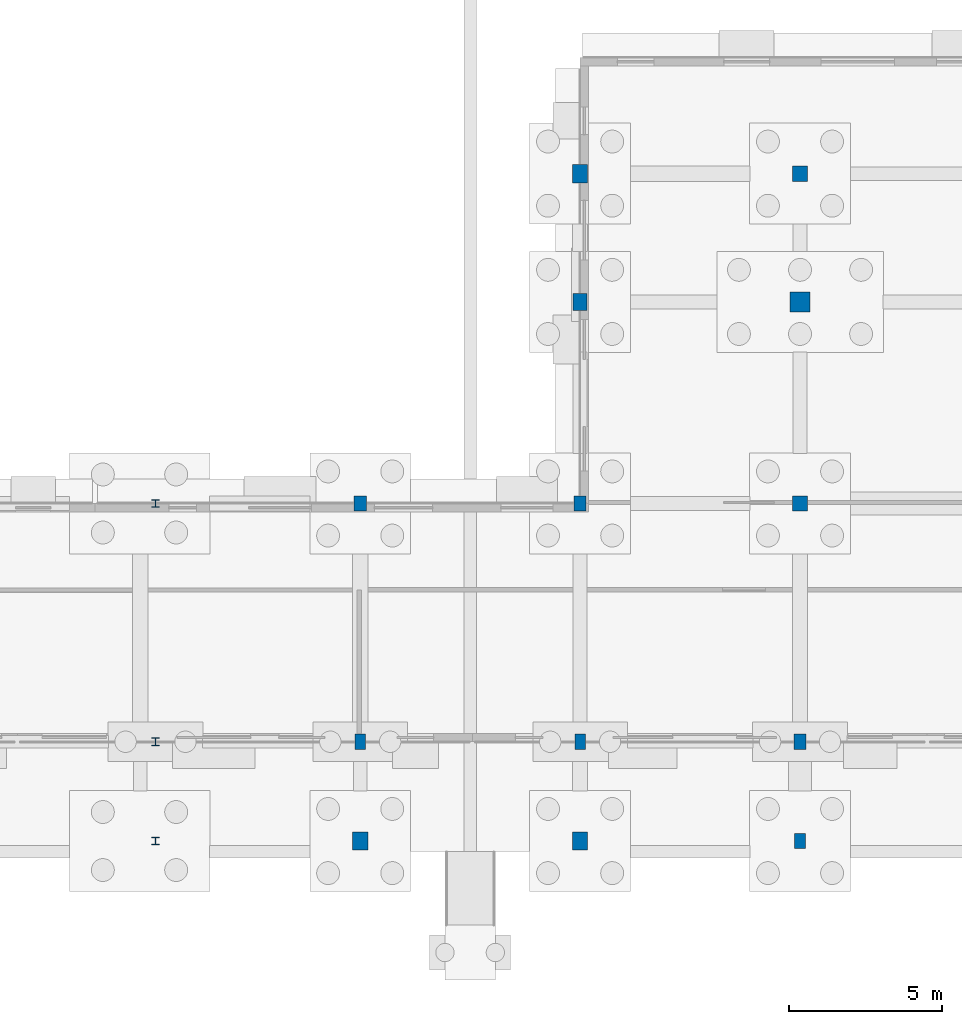
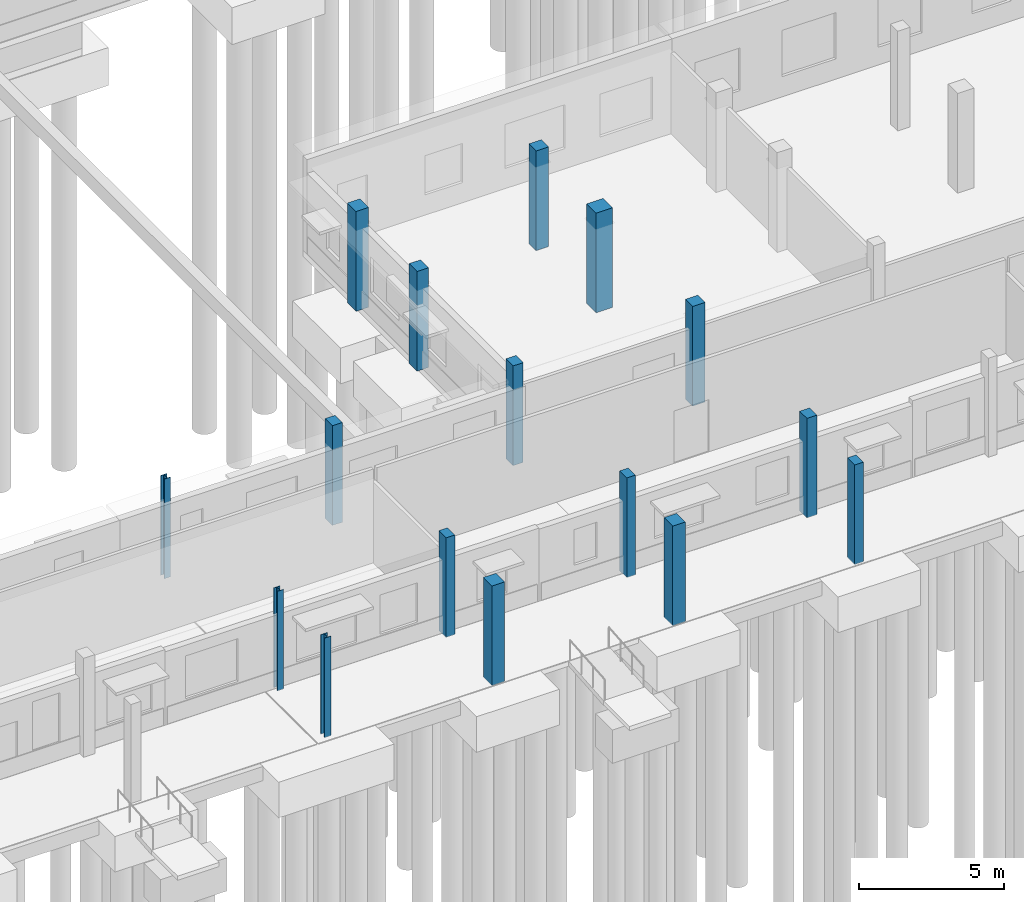
# One storey, part 11 of 93: 16 columns.
"""IFC4 building model written with IfcOpenShell, lengths in metres."""

from ifc_helpers import new_model, si_unit, direction, frame, origin, origin_2d, place, context, subcontext, project, spatial, rectangle, i_section, extrude, material, material_profile, profile_set, type_object, element, save


model = new_model("IFC4")

# Units and contexts
model_context = context("Model", 3, precision=1e-05, world=origin(), true_north=direction((0.0, 1.0)))
body_context = subcontext(model_context, "Body", "Model", "MODEL_VIEW")
ifc_project = project(units=[si_unit("LENGTHUNIT", "METRE"), si_unit("AREAUNIT", "SQUARE_METRE"), si_unit("VOLUMEUNIT", "CUBIC_METRE"), si_unit("PLANEANGLEUNIT", "RADIAN"), si_unit("MASSUNIT", "GRAM", prefix="KILO")], contexts=[model_context])

# Site, building, storey
site_placement = place(None, origin())
site = spatial("IfcSite", under=ifc_project, at=site_placement, CompositionType="ELEMENT")
building_placement = place(site_placement, origin())
building = spatial("IfcBuilding", under=site, at=building_placement, Name="Kelanivale Promenade Academy", CompositionType="ELEMENT")
storey_placement = place(building_placement, origin())
storey = spatial("IfcBuildingStorey", under=building, at=storey_placement, Name="L00", CompositionType="ELEMENT", Elevation=0.0)

# Columns
ifc_material_1 = material(Name="Concrete C40/50", Category="concrete")
ifc_material_profile_1 = material_profile(ifc_material_1, rectangle(XDim=0.5, YDim=0.5, at=origin_2d()), Name="RC-COL 500x500")
ifc_profile_set_1 = profile_set([ifc_material_profile_1], Name="Concrete C40/50")
column_type_1 = type_object("IfcColumnType", Name="C-03 RC-COL 500x500", PredefinedType="COLUMN", material=ifc_profile_set_1)
for number, where, z_axis, x_axis, name in (
    (1, (57.60009765625, 11.39990234375, 0.0), (0.0, 0.0, 1.0), (1.0, 0.0, 0.0), "Column C-03 at (57.6, 11.4) L00"),
    (2, (57.60009765625, 22.199951171875, 0.0), (0.0, 0.0, 1.0), (1.0, 0.0, 0.0), "Column C-03 at (57.6, 22.2) L00"),
):
    element("IfcColumn", number, at=place(storey_placement, frame(where, z_axis=z_axis, x_axis=x_axis)), inside=storey, type_object=column_type_1, Name=name, PredefinedType="COLUMN", context=body_context, shape_type="SweptSolid", body=[
        extrude(rectangle(XDim=0.5, YDim=0.5, at=origin_2d()), origin(), (0.0, 0.0, 1.0), 4.199951171875),
    ])
ifc_material_profile_2 = material_profile(ifc_material_1, rectangle(XDim=0.64990234375, YDim=0.64990234375, at=origin_2d()), Name="RC-COL 650x650")
ifc_profile_set_2 = profile_set([ifc_material_profile_2], Name="Concrete C40/50")
column_type_2 = type_object("IfcColumnType", Name="C-06 RC-COL 650x650", PredefinedType="COLUMN", material=ifc_profile_set_2)
column_1_placement = place(storey_placement, frame((57.60009765625, 18.0, 0.0), z_axis=(0.0, 0.0, 1.0), x_axis=(1.0, 0.0, 0.0)))
element("IfcColumn", 3, at=column_1_placement, inside=storey, type_object=column_type_2, Name="Column C-06 at (57.6, 18.0) L00", PredefinedType="COLUMN", context=body_context, shape_type="SweptSolid", body=[
    extrude(rectangle(XDim=0.64990234375, YDim=0.64990234375, at=origin_2d()), origin(), (0.0, 0.0, 1.0), 4.199951171875),
])
ifc_material_profile_3 = material_profile(ifc_material_1, rectangle(XDim=0.35009765625, YDim=0.5, at=origin_2d()), Name="RC-PIL 350x500")
ifc_profile_set_3 = profile_set([ifc_material_profile_3], Name="Concrete C40/50")
column_type_3 = type_object("IfcColumnType", Name="PL-15 RC-PIL 350x500", PredefinedType="PILASTER", material=ifc_profile_set_3)
for number, where, z_axis, x_axis, name in (
    (4, (43.199951171875, 3.60009765625, 0.0), (0.0, 0.0, 1.0), (1.0, 0.0, 0.0), "Column PL-15 at (43.2, 3.6) L00"),
    (5, (50.39990234375, 3.60009765625, 0.0), (0.0, 0.0, 1.0), (1.0, 0.0, 0.0), "Column PL-15 at (50.4, 3.6) L00"),
    (6, (57.60009765625, 0.35009765625, 0.0), (0.0, 0.0, 1.0), (1.0, 0.0, 0.0), "Column PL-15 at (57.6, 0.3) L00"),
):
    element("IfcColumn", number, at=place(storey_placement, frame(where, z_axis=z_axis, x_axis=x_axis)), inside=storey, type_object=column_type_3, Name=name, PredefinedType="PILASTER", context=body_context, shape_type="SweptSolid", body=[
        extrude(rectangle(XDim=0.35009765625, YDim=0.5, at=origin_2d()), origin(), (0.0, 0.0, 1.0), 4.199951171875),
    ])
ifc_material_profile_4 = material_profile(ifc_material_1, rectangle(XDim=0.39990234375, YDim=0.5, at=origin_2d()), Name="RC-PIL 400x500")
ifc_profile_set_4 = profile_set([ifc_material_profile_4], Name="Concrete C40/50")
column_type_4 = type_object("IfcColumnType", Name="PL-16 RC-PIL 400x500", PredefinedType="PILASTER", material=ifc_profile_set_4)
for number, where, z_axis, x_axis, name in (
    (7, (43.199951171875, 11.39990234375, 0.0), (0.0, 0.0, 1.0), (1.0, 0.0, 0.0), "Column PL-16 at (43.2, 11.4) L00"),
    (8, (50.39990234375, 11.39990234375, 0.0), (0.0, 0.0, 1.0), (1.0, 0.0, 0.0), "Column PL-16 at (50.4, 11.4) L00"),
    (9, (57.60009765625, 3.60009765625, 0.0), (0.0, 0.0, 1.0), (1.0, 0.0, 0.0), "Column PL-16 at (57.6, 3.6) L00"),
):
    element("IfcColumn", number, at=place(storey_placement, frame(where, z_axis=z_axis, x_axis=x_axis)), inside=storey, type_object=column_type_4, Name=name, PredefinedType="PILASTER", context=body_context, shape_type="SweptSolid", body=[
        extrude(rectangle(XDim=0.39990234375, YDim=0.5, at=origin_2d()), origin(), (0.0, 0.0, 1.0), 4.199951171875),
    ])
ifc_material_profile_5 = material_profile(ifc_material_1, rectangle(XDim=0.449951171875, YDim=0.550048828125, at=origin_2d()), Name="RC-PIL 450x550")
ifc_profile_set_5 = profile_set([ifc_material_profile_5], Name="Concrete C40/50")
column_type_5 = type_object("IfcColumnType", Name="PL-17 RC-PIL 450x550", PredefinedType="PILASTER", material=ifc_profile_set_5)
column_2_placement = place(storey_placement, frame((50.39990234375, 18.0, 0.0), z_axis=(0.0, 0.0, 1.0), x_axis=(1.0, 0.0, 0.0)))
element("IfcColumn", 10, at=column_2_placement, inside=storey, type_object=column_type_5, Name="Column PL-17 at (50.4, 18.0) L00", PredefinedType="PILASTER", context=body_context, shape_type="SweptSolid", body=[
    extrude(rectangle(XDim=0.449951171875, YDim=0.550048828125, at=origin_2d()), origin(), (0.0, 0.0, 1.0), 4.199951171875),
])
ifc_material_profile_6 = material_profile(ifc_material_1, rectangle(XDim=0.5, YDim=0.60009765625, at=origin_2d()), Name="RC-PIL 500x600")
ifc_profile_set_6 = profile_set([ifc_material_profile_6], Name="Concrete C40/50")
column_type_6 = type_object("IfcColumnType", Name="PL-18 RC-PIL 500x600", PredefinedType="PILASTER", material=ifc_profile_set_6)
for number, where, z_axis, x_axis, name in (
    (11, (43.199951171875, 0.35009765625, 0.0), (0.0, 0.0, 1.0), (1.0, 0.0, 0.0), "Column PL-18 at (43.2, 0.3) L00"),
    (12, (50.39990234375, 0.35009765625, 0.0), (0.0, 0.0, 1.0), (1.0, 0.0, 0.0), "Column PL-18 at (50.4, 0.3) L00"),
    (13, (50.39990234375, 22.199951171875, 0.0), (0.0, 0.0, 1.0), (1.0, 0.0, 0.0), "Column PL-18 at (50.4, 22.2) L00"),
):
    element("IfcColumn", number, at=place(storey_placement, frame(where, z_axis=z_axis, x_axis=x_axis)), inside=storey, type_object=column_type_6, Name=name, PredefinedType="PILASTER", context=body_context, shape_type="SweptSolid", body=[
        extrude(rectangle(XDim=0.5, YDim=0.60009765625, at=origin_2d()), origin(), (0.0, 0.0, 1.0), 4.199951171875),
    ])
ifc_material_2 = material(Name="Steel S355", Category="steel")
ifc_material_profile_7 = material_profile(ifc_material_2, i_section(OverallWidth=0.254638671875, OverallDepth=0.254150390625, WebThickness=0.008544921875, FlangeThickness=0.01416015625, FilletRadius=0.0126953125, at=origin_2d()), Name="UC 254x254x73")
ifc_profile_set_7 = profile_set([ifc_material_profile_7], Name="Steel S355")
column_type_7 = type_object("IfcColumnType", Name="SC-02 UC 254x254x73", PredefinedType="COLUMN", material=ifc_profile_set_7)
for number, where, z_axis, x_axis, name in (
    (14, (36.5, 0.35009765625, 0.0), (0.0, 0.0, 1.0), (1.0, 0.0, 0.0), "Column SC-02 at (36.5, 0.3) L00"),
    (15, (36.5, 3.60009765625, 0.0), (0.0, 0.0, 1.0), (1.0, 0.0, 0.0), "Column SC-02 at (36.5, 3.6) L00"),
    (16, (36.5, 11.39990234375, 0.0), (0.0, 0.0, 1.0), (1.0, 0.0, 0.0), "Column SC-02 at (36.5, 11.4) L00"),
):
    element("IfcColumn", number, at=place(storey_placement, frame(where, z_axis=z_axis, x_axis=x_axis)), inside=storey, type_object=column_type_7, Name=name, PredefinedType="COLUMN", context=body_context, shape_type="SweptSolid", body=[
        extrude(i_section(OverallWidth=0.254638671875, OverallDepth=0.254150390625, WebThickness=0.008544921875, FlangeThickness=0.01416015625, FilletRadius=0.0126953125, at=origin_2d()), origin(), (0.0, 0.0, 1.0), 4.199951171875),
    ])

save(model, "model.ifc")
